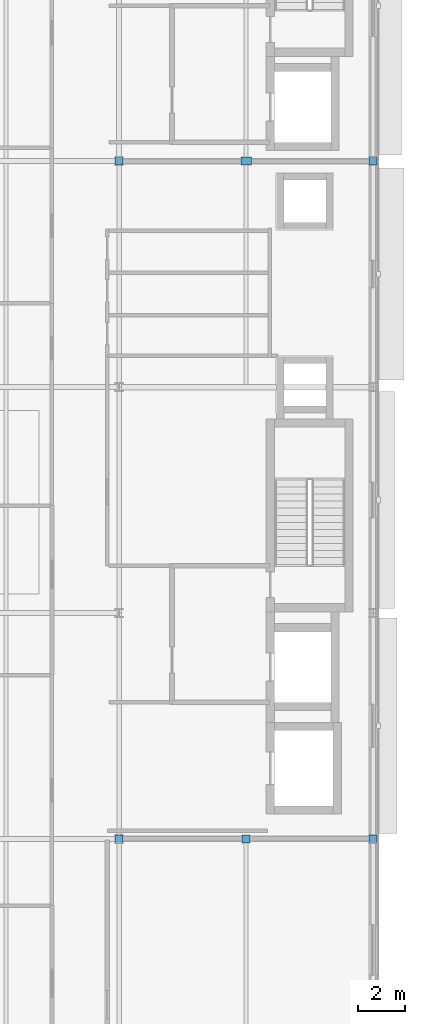
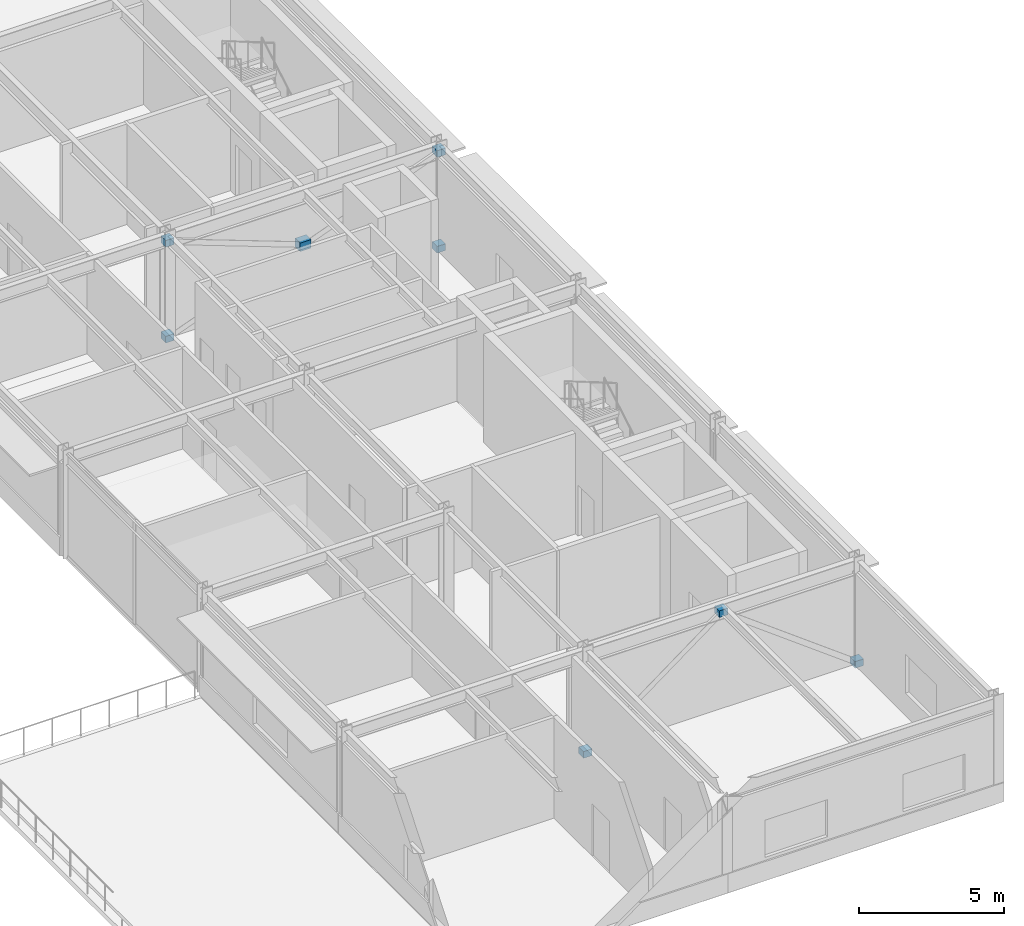
# One storey, part 115 of 157: 8 plates.
"""IFC4 building model written with IfcOpenShell, lengths in metres."""

from ifc_helpers import new_model, si_unit, direction, frame, origin, origin_2d, place, context, subcontext, project, spatial, rectangle, extrude, material, layer, layer_set, type_object, element, save


model = new_model("IFC4")

# Units and contexts
model_context = context("Model", 3, precision=1e-05, world=origin(), true_north=direction((0.0, 1.0)))
body_context = subcontext(model_context, "Body", "Model", "MODEL_VIEW")
ifc_project = project(units=[si_unit("LENGTHUNIT", "METRE"), si_unit("AREAUNIT", "SQUARE_METRE"), si_unit("VOLUMEUNIT", "CUBIC_METRE"), si_unit("PLANEANGLEUNIT", "RADIAN"), si_unit("MASSUNIT", "GRAM", prefix="KILO")], contexts=[model_context])

# Site, building, storey
site_placement = place(None, origin())
site = spatial("IfcSite", under=ifc_project, at=site_placement, CompositionType="ELEMENT")
building_placement = place(site_placement, origin())
building = spatial("IfcBuilding", under=site, at=building_placement, Name="Almandine Court Research Institute", CompositionType="ELEMENT")
storey_placement = place(building_placement, frame((0.0, 0.0, 5.25)))
storey = spatial("IfcBuildingStorey", under=building, at=storey_placement, Name="L01", CompositionType="ELEMENT", Elevation=5.25)

# Plates
ifc_material = material(Name="Steel ASTM A36", Category="steel")
ifc_layer_1 = layer(ifc_material, 0.280029296875)
ifc_layer_set_1 = layer_set([ifc_layer_1], Name="Steel ASTM A36")
plate_type_1 = type_object("IfcPlateType", Name="Plate-NPI-03", PredefinedType="SHEET", material=ifc_layer_set_1)
for number, where, z_axis, x_axis, name in (
    (1, (163.199951171875, 15.60009765625, -0.1201171875), (0.0, 0.0, 1.0), (1.0, 0.0, 0.0), "L01 Seismic Brace Gusset Cap Plate V4-BF1-BL"),
    (2, (174.0, 15.60009765625, -0.1201171875), (0.0, 0.0, 1.0), (1.0, 0.0, 0.0), "L01 Seismic Brace Gusset Cap Plate V4-BF1-BR"),
    (3, (168.60009765625, 15.60009765625, 3.91015625), (0.0, 0.0, 1.0), (1.0, 0.0, 0.0), "L01 Seismic Brace Gusset Cap Plate V4-BF1-AP"),
    (4, (163.199951171875, 44.39990234375, -0.1201171875), (0.0, 0.0, 1.0), (1.0, 0.0, 0.0), "L01 Seismic X-Brace Gusset Plate V4-BF2-BL"),
    (5, (174.0, 44.39990234375, -0.1201171875), (0.0, 0.0, 1.0), (1.0, 0.0, 0.0), "L01 Seismic X-Brace Gusset Plate V4-BF2-BR"),
    (6, (163.199951171875, 44.39990234375, 3.91015625), (0.0, 0.0, 1.0), (1.0, 0.0, 0.0), "L01 Seismic X-Brace Gusset Plate V4-BF2-TL"),
    (7, (174.0, 44.39990234375, 3.91015625), (0.0, 0.0, 1.0), (1.0, 0.0, 0.0), "L01 Seismic X-Brace Gusset Plate V4-BF2-TR"),
):
    element("IfcPlate", number, at=place(storey_placement, frame(where, z_axis=z_axis, x_axis=x_axis)), inside=storey, type_object=plate_type_1, Name=name, PredefinedType="SHEET", context=body_context, shape_type="SweptSolid", body=[
        extrude(rectangle(XDim=0.340087890625, YDim=0.340087890625, at=origin_2d()), origin(), (0.0, 0.0, 1.0), 0.280029296875),
    ])
ifc_layer_2 = layer(ifc_material, 0.360107421875)
ifc_layer_set_2 = layer_set([ifc_layer_2], Name="Steel ASTM A36")
plate_type_2 = type_object("IfcPlateType", Name="Plate-NPI-04", PredefinedType="SHEET", material=ifc_layer_set_2)
plate_placement = place(storey_placement, frame((168.60009765625, 44.39990234375, 1.85498046875), z_axis=(0.0, 0.0, 1.0), x_axis=(1.0, 0.0, 0.0)))
element("IfcPlate", 8, at=plate_placement, inside=storey, type_object=plate_type_2, Name="L01 Seismic X-Brace Gusset Plate V4-BF2-AP", PredefinedType="SHEET", context=body_context, shape_type="SweptSolid", body=[
    extrude(rectangle(XDim=0.43994140625, YDim=0.340087890625, at=origin_2d()), origin(), (0.0, 0.0, 1.0), 0.360107421875),
])

save(model, "model.ifc")
